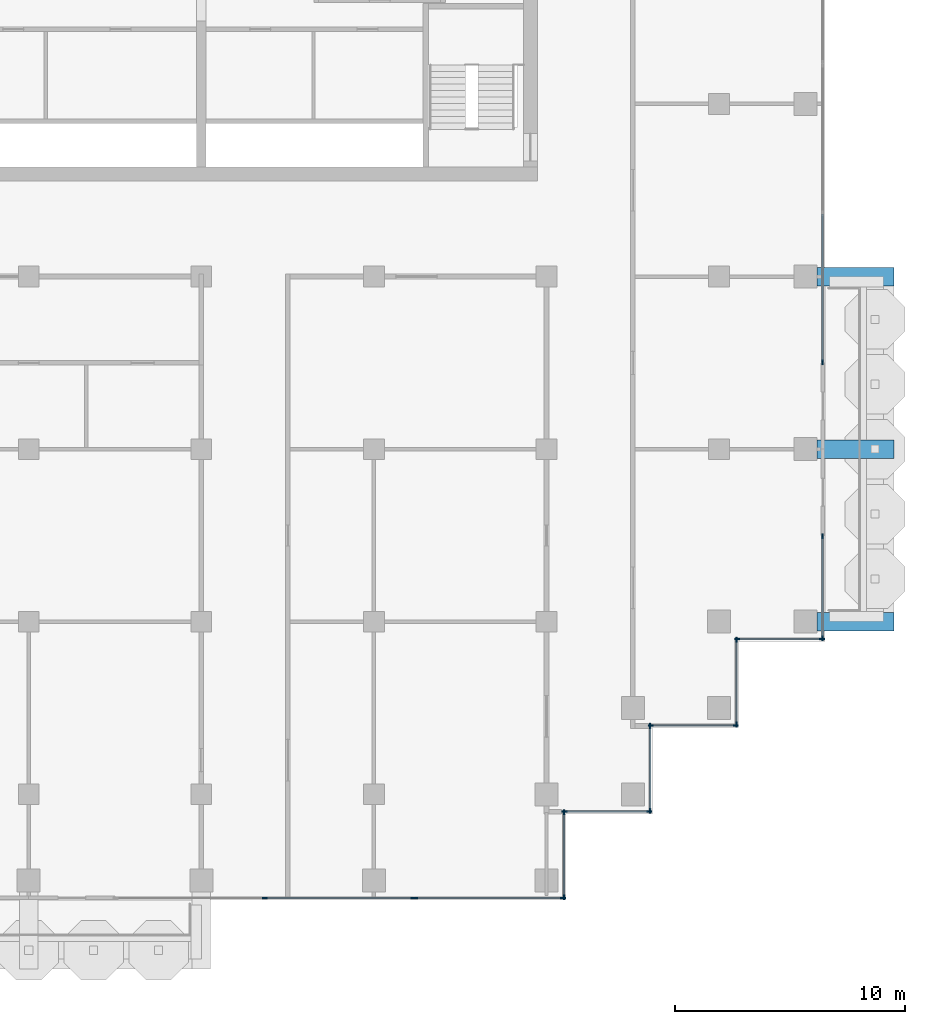
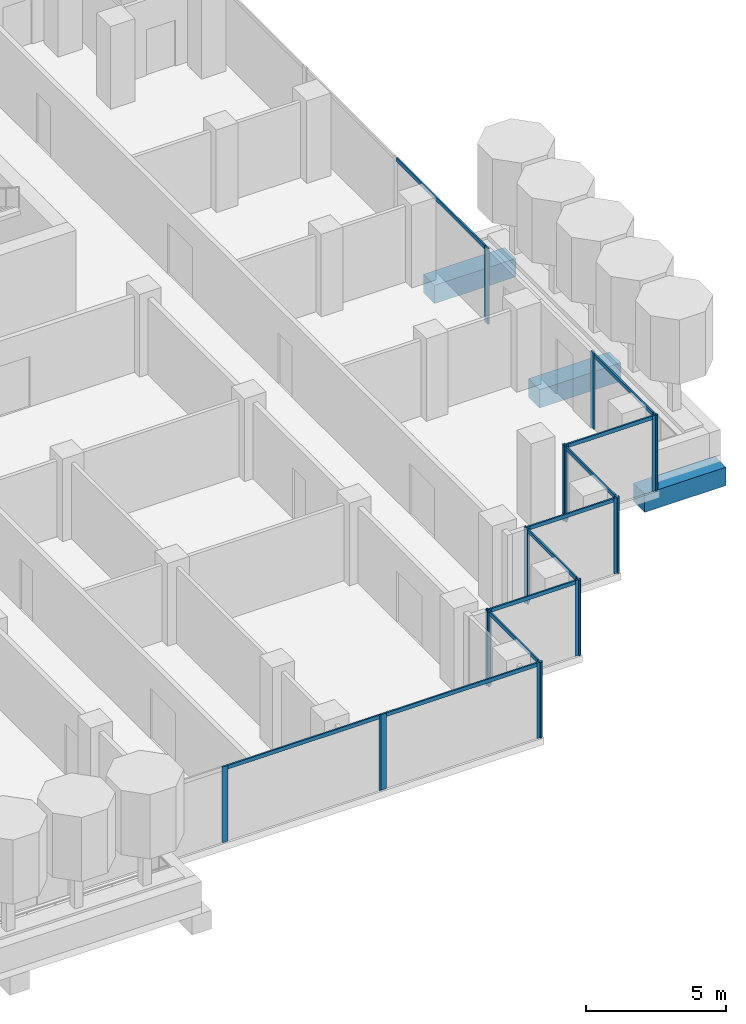
# One storey, part 4 of 18: 29 members, 3 beams, 10 elements without a shape of their own.
"""IFC4 building model written with IfcOpenShell, lengths in metres."""

from ifc_helpers import new_model, si_unit, direction, frame, origin, origin_2d, place, context, subcontext, project, spatial, rectangle, extrude, material, material_profile, profile_set, type_object, element, aggregate, save


model = new_model("IFC4")

# Units and contexts
model_context = context("Model", 3, precision=1e-05, world=origin(), true_north=direction((0.0, 1.0)))
body_context = subcontext(model_context, "Body", "Model", "MODEL_VIEW")
ifc_project = project(units=[si_unit("LENGTHUNIT", "METRE"), si_unit("AREAUNIT", "SQUARE_METRE"), si_unit("VOLUMEUNIT", "CUBIC_METRE"), si_unit("PLANEANGLEUNIT", "RADIAN"), si_unit("MASSUNIT", "GRAM", prefix="KILO")], contexts=[model_context])

# Site, building, storey
site_placement = place(None, origin())
site = spatial("IfcSite", under=ifc_project, at=site_placement, CompositionType="ELEMENT")
building_placement = place(site_placement, origin())
building = spatial("IfcBuilding", under=site, at=building_placement, Name="Pilkhan Gate Tower", CompositionType="ELEMENT")
storey_placement = place(building_placement, frame((0.0, 0.0, 192.300048828125)))
storey = spatial("IfcBuildingStorey", under=building, at=storey_placement, Name="L49", CompositionType="ELEMENT", Elevation=192.300048828125)

# Beams
ifc_material_1 = material(Name="Concrete C50/60", Category="concrete")
ifc_material_profile_1 = material_profile(ifc_material_1, rectangle(XDim=0.800048828125, YDim=0.800048828125, at=origin_2d()), Name="RC 800x800")
ifc_profile_set_1 = profile_set([ifc_material_profile_1], Name="Concrete C50/60")
beam_type = type_object("IfcBeamType", Name="Cantilever beam CB2 RC 800x800 C50/60", PredefinedType="BEAM", material=ifc_profile_set_1)
for number, where, z_axis, x_axis, name in (
    (1, (101.75, 52.5, -0.699951171875), (1.0, 0.0, 0.0), (0.0, 1.0, 0.0), "Balcony beam E.1 L49"),
    (2, (101.75, 60.0, -0.699951171875), (1.0, 0.0, 0.0), (0.0, 1.0, 0.0), "Balcony beam E.2 L49"),
    (3, (101.75, 67.5, -0.699951171875), (1.0, 0.0, 0.0), (0.0, 1.0, 0.0), "Balcony beam E.3 L49"),
):
    element("IfcBeam", number, at=place(storey_placement, frame(where, z_axis=z_axis, x_axis=x_axis)), inside=storey, type_object=beam_type, Name=name, PredefinedType="BEAM", context=body_context, shape_type="SweptSolid", body=[
        extrude(rectangle(XDim=0.800048828125, YDim=0.800048828125, at=origin_2d()), origin(), (0.0, 0.0, 1.0), 3.35009765625),
    ])

# Curtain wall, members
ifc_material_2 = material(Name="Pale anodised aluminium, clear low-iron double glazing", Category="aluminium")
curtain_wall_type = type_object("IfcCurtainWallType", Name="Office unitised curtain wall CW-O2", PredefinedType="USERDEFINED", material=ifc_material_2)
curtain_wall_1_placement = place(storey_placement, origin())
curtain_wall_1 = element("IfcCurtainWall", 4, at=curtain_wall_1_placement, inside=storey, type_object=curtain_wall_type, Name="Office unitised curtain wall CW-O2 L49 E", ObjectType="UNITISED CURTAIN WALL", PredefinedType="USERDEFINED")
ifc_material_3 = material(Name="Pale anodised aluminium", Category="aluminium")
ifc_material_profile_2 = material_profile(ifc_material_3, rectangle(XDim=0.06494140625, YDim=0.22509765625, at=origin_2d()), Name="Mullion 225x65")
ifc_profile_set_2 = profile_set([ifc_material_profile_2], Name="Pale anodised aluminium")
member_type_1 = type_object("IfcMemberType", Name="Mullion CW-O2 225x65", PredefinedType="MULLION", material=ifc_profile_set_2)
member_1_placement = place(storey_placement, frame((102.0, 51.782470703125, 0.0), z_axis=(0.0, 0.0, 1.0), x_axis=(-1.0, 0.0, 0.0)))
member_1 = element("IfcMember", 5, at=member_1_placement, type_object=member_type_1, Name="CW-O2 mullion 1", PredefinedType="MULLION", context=body_context, shape_type="SweptSolid", body=[
    extrude(rectangle(XDim=0.06494140625, YDim=0.22509765625, at=origin_2d()), origin(), (0.0, 0.0, 1.0), 3.300048828125),
])
member_2_placement = place(storey_placement, frame((102.0, 56.217529296875, 0.0), z_axis=(0.0, 0.0, 1.0), x_axis=(-1.0, 0.0, 0.0)))
member_2 = element("IfcMember", 6, at=member_2_placement, type_object=member_type_1, Name="CW-O2 mullion 2", PredefinedType="MULLION", context=body_context, shape_type="SweptSolid", body=[
    extrude(rectangle(XDim=0.06494140625, YDim=0.22509765625, at=origin_2d()), origin(), (0.0, 0.0, 1.0), 3.300048828125),
])

# Curtain wall, member
curtain_wall_2_placement = place(storey_placement, origin())
curtain_wall_2 = element("IfcCurtainWall", 7, at=curtain_wall_2_placement, inside=storey, type_object=curtain_wall_type, Name="Office unitised curtain wall CW-O2 L49 E", ObjectType="UNITISED CURTAIN WALL", PredefinedType="USERDEFINED")
member_3_placement = place(storey_placement, frame((102.0, 63.782470703125, 0.0), z_axis=(0.0, 0.0, 1.0), x_axis=(-1.0, 0.0, 0.0)))
member_3 = element("IfcMember", 8, at=member_3_placement, type_object=member_type_1, Name="CW-O2 mullion 1", PredefinedType="MULLION", context=body_context, shape_type="SweptSolid", body=[
    extrude(rectangle(XDim=0.06494140625, YDim=0.22509765625, at=origin_2d()), origin(), (0.0, 0.0, 1.0), 3.300048828125),
])

# Curtain wall, members
curtain_wall_3_placement = place(storey_placement, origin())
curtain_wall_3 = element("IfcCurtainWall", 9, at=curtain_wall_3_placement, inside=storey, type_object=curtain_wall_type, Name="Office unitised curtain wall CW-O2 L49 S", ObjectType="UNITISED CURTAIN WALL", PredefinedType="USERDEFINED")
member_4_placement = place(storey_placement, frame((77.75, 40.5, 0.0), z_axis=(0.0, 0.0, 1.0), x_axis=(0.0, 1.0, 0.0)))
member_4 = element("IfcMember", 10, at=member_4_placement, type_object=member_type_1, Name="CW-O2 mullion 2", PredefinedType="MULLION", context=body_context, shape_type="SweptSolid", body=[
    extrude(rectangle(XDim=0.06494140625, YDim=0.22509765625, at=origin_2d()), origin(), (0.0, 0.0, 1.0), 3.300048828125),
])
member_5_placement = place(storey_placement, frame((84.217529296875, 40.5, 0.0), z_axis=(0.0, 0.0, 1.0), x_axis=(0.0, 1.0, 0.0)))
member_5 = element("IfcMember", 11, at=member_5_placement, type_object=member_type_1, Name="CW-O2 mullion 3", PredefinedType="MULLION", context=body_context, shape_type="SweptSolid", body=[
    extrude(rectangle(XDim=0.06494140625, YDim=0.22509765625, at=origin_2d()), origin(), (0.0, 0.0, 1.0), 3.300048828125),
])

curtain_wall_4_placement = place(storey_placement, origin())
curtain_wall_4 = element("IfcCurtainWall", 12, at=curtain_wall_4_placement, inside=storey, type_object=curtain_wall_type, Name="Office unitised curtain wall CW-O2 L49 S", ObjectType="UNITISED CURTAIN WALL", PredefinedType="USERDEFINED")
member_6_placement = place(storey_placement, frame((84.282470703125, 40.5, 0.0), z_axis=(0.0, 0.0, 1.0), x_axis=(0.0, 1.0, 0.0)))
member_6 = element("IfcMember", 13, at=member_6_placement, type_object=member_type_1, Name="CW-O2 mullion 1", PredefinedType="MULLION", context=body_context, shape_type="SweptSolid", body=[
    extrude(rectangle(XDim=0.06494140625, YDim=0.22509765625, at=origin_2d()), origin(), (0.0, 0.0, 1.0), 3.300048828125),
])
member_7_placement = place(storey_placement, frame((90.717529296875, 40.5, 0.0), z_axis=(0.0, 0.0, 1.0), x_axis=(0.0, 1.0, 0.0)))
member_7 = element("IfcMember", 14, at=member_7_placement, type_object=member_type_1, Name="CW-O2 mullion 2", PredefinedType="MULLION", context=body_context, shape_type="SweptSolid", body=[
    extrude(rectangle(XDim=0.06494140625, YDim=0.22509765625, at=origin_2d()), origin(), (0.0, 0.0, 1.0), 3.300048828125),
])

curtain_wall_5_placement = place(storey_placement, origin())
curtain_wall_5 = element("IfcCurtainWall", 15, at=curtain_wall_5_placement, inside=storey, type_object=curtain_wall_type, Name="Office unitised curtain wall CW-O2 L49 E", ObjectType="UNITISED CURTAIN WALL", PredefinedType="USERDEFINED")
member_8_placement = place(storey_placement, frame((90.75, 40.532470703125, 0.0), z_axis=(0.0, 0.0, 1.0), x_axis=(-1.0, 0.0, 0.0)))
member_8 = element("IfcMember", 16, at=member_8_placement, type_object=member_type_1, Name="CW-O2 mullion 1", PredefinedType="MULLION", context=body_context, shape_type="SweptSolid", body=[
    extrude(rectangle(XDim=0.06494140625, YDim=0.22509765625, at=origin_2d()), origin(), (0.0, 0.0, 1.0), 3.300048828125),
])
member_9_placement = place(storey_placement, frame((90.75, 44.217529296875, 0.0), z_axis=(0.0, 0.0, 1.0), x_axis=(-1.0, 0.0, 0.0)))
member_9 = element("IfcMember", 17, at=member_9_placement, type_object=member_type_1, Name="CW-O2 mullion 2", PredefinedType="MULLION", context=body_context, shape_type="SweptSolid", body=[
    extrude(rectangle(XDim=0.06494140625, YDim=0.22509765625, at=origin_2d()), origin(), (0.0, 0.0, 1.0), 3.300048828125),
])

curtain_wall_6_placement = place(storey_placement, origin())
curtain_wall_6 = element("IfcCurtainWall", 18, at=curtain_wall_6_placement, inside=storey, type_object=curtain_wall_type, Name="Office unitised curtain wall CW-O2 L49 S", ObjectType="UNITISED CURTAIN WALL", PredefinedType="USERDEFINED")
member_10_placement = place(storey_placement, frame((90.782470703125, 44.25, 0.0), z_axis=(0.0, 0.0, 1.0), x_axis=(0.0, 1.0, 0.0)))
member_10 = element("IfcMember", 19, at=member_10_placement, type_object=member_type_1, Name="CW-O2 mullion 1", PredefinedType="MULLION", context=body_context, shape_type="SweptSolid", body=[
    extrude(rectangle(XDim=0.06494140625, YDim=0.22509765625, at=origin_2d()), origin(), (0.0, 0.0, 1.0), 3.300048828125),
])
member_11_placement = place(storey_placement, frame((94.467529296875, 44.25, 0.0), z_axis=(0.0, 0.0, 1.0), x_axis=(0.0, 1.0, 0.0)))
member_11 = element("IfcMember", 20, at=member_11_placement, type_object=member_type_1, Name="CW-O2 mullion 2", PredefinedType="MULLION", context=body_context, shape_type="SweptSolid", body=[
    extrude(rectangle(XDim=0.06494140625, YDim=0.22509765625, at=origin_2d()), origin(), (0.0, 0.0, 1.0), 3.300048828125),
])

curtain_wall_7_placement = place(storey_placement, origin())
curtain_wall_7 = element("IfcCurtainWall", 21, at=curtain_wall_7_placement, inside=storey, type_object=curtain_wall_type, Name="Office unitised curtain wall CW-O2 L49 E", ObjectType="UNITISED CURTAIN WALL", PredefinedType="USERDEFINED")
member_12_placement = place(storey_placement, frame((94.5, 44.282470703125, 0.0), z_axis=(0.0, 0.0, 1.0), x_axis=(-1.0, 0.0, 0.0)))
member_12 = element("IfcMember", 22, at=member_12_placement, type_object=member_type_1, Name="CW-O2 mullion 1", PredefinedType="MULLION", context=body_context, shape_type="SweptSolid", body=[
    extrude(rectangle(XDim=0.06494140625, YDim=0.22509765625, at=origin_2d()), origin(), (0.0, 0.0, 1.0), 3.300048828125),
])
member_13_placement = place(storey_placement, frame((94.5, 47.967529296875, 0.0), z_axis=(0.0, 0.0, 1.0), x_axis=(-1.0, 0.0, 0.0)))
member_13 = element("IfcMember", 23, at=member_13_placement, type_object=member_type_1, Name="CW-O2 mullion 2", PredefinedType="MULLION", context=body_context, shape_type="SweptSolid", body=[
    extrude(rectangle(XDim=0.06494140625, YDim=0.22509765625, at=origin_2d()), origin(), (0.0, 0.0, 1.0), 3.300048828125),
])

curtain_wall_8_placement = place(storey_placement, origin())
curtain_wall_8 = element("IfcCurtainWall", 24, at=curtain_wall_8_placement, inside=storey, type_object=curtain_wall_type, Name="Office unitised curtain wall CW-O2 L49 S", ObjectType="UNITISED CURTAIN WALL", PredefinedType="USERDEFINED")
member_14_placement = place(storey_placement, frame((94.532470703125, 48.0, 0.0), z_axis=(0.0, 0.0, 1.0), x_axis=(0.0, 1.0, 0.0)))
member_14 = element("IfcMember", 25, at=member_14_placement, type_object=member_type_1, Name="CW-O2 mullion 1", PredefinedType="MULLION", context=body_context, shape_type="SweptSolid", body=[
    extrude(rectangle(XDim=0.06494140625, YDim=0.22509765625, at=origin_2d()), origin(), (0.0, 0.0, 1.0), 3.300048828125),
])
member_15_placement = place(storey_placement, frame((98.217529296875, 48.0, 0.0), z_axis=(0.0, 0.0, 1.0), x_axis=(0.0, 1.0, 0.0)))
member_15 = element("IfcMember", 26, at=member_15_placement, type_object=member_type_1, Name="CW-O2 mullion 2", PredefinedType="MULLION", context=body_context, shape_type="SweptSolid", body=[
    extrude(rectangle(XDim=0.06494140625, YDim=0.22509765625, at=origin_2d()), origin(), (0.0, 0.0, 1.0), 3.300048828125),
])

curtain_wall_9_placement = place(storey_placement, origin())
curtain_wall_9 = element("IfcCurtainWall", 27, at=curtain_wall_9_placement, inside=storey, type_object=curtain_wall_type, Name="Office unitised curtain wall CW-O2 L49 E", ObjectType="UNITISED CURTAIN WALL", PredefinedType="USERDEFINED")
member_16_placement = place(storey_placement, frame((98.25, 48.032470703125, 0.0), z_axis=(0.0, 0.0, 1.0), x_axis=(-1.0, 0.0, 0.0)))
member_16 = element("IfcMember", 28, at=member_16_placement, type_object=member_type_1, Name="CW-O2 mullion 1", PredefinedType="MULLION", context=body_context, shape_type="SweptSolid", body=[
    extrude(rectangle(XDim=0.06494140625, YDim=0.22509765625, at=origin_2d()), origin(), (0.0, 0.0, 1.0), 3.300048828125),
])
member_17_placement = place(storey_placement, frame((98.25, 51.717529296875, 0.0), z_axis=(0.0, 0.0, 1.0), x_axis=(-1.0, 0.0, 0.0)))
member_17 = element("IfcMember", 29, at=member_17_placement, type_object=member_type_1, Name="CW-O2 mullion 2", PredefinedType="MULLION", context=body_context, shape_type="SweptSolid", body=[
    extrude(rectangle(XDim=0.06494140625, YDim=0.22509765625, at=origin_2d()), origin(), (0.0, 0.0, 1.0), 3.300048828125),
])

curtain_wall_10_placement = place(storey_placement, origin())
curtain_wall_10 = element("IfcCurtainWall", 30, at=curtain_wall_10_placement, inside=storey, type_object=curtain_wall_type, Name="Office unitised curtain wall CW-O2 L49 S", ObjectType="UNITISED CURTAIN WALL", PredefinedType="USERDEFINED")
member_18_placement = place(storey_placement, frame((98.282470703125, 51.75, 0.0), z_axis=(0.0, 0.0, 1.0), x_axis=(0.0, 1.0, 0.0)))
member_18 = element("IfcMember", 31, at=member_18_placement, type_object=member_type_1, Name="CW-O2 mullion 1", PredefinedType="MULLION", context=body_context, shape_type="SweptSolid", body=[
    extrude(rectangle(XDim=0.06494140625, YDim=0.22509765625, at=origin_2d()), origin(), (0.0, 0.0, 1.0), 3.300048828125),
])
member_19_placement = place(storey_placement, frame((101.967529296875, 51.75, 0.0), z_axis=(0.0, 0.0, 1.0), x_axis=(0.0, 1.0, 0.0)))
member_19 = element("IfcMember", 32, at=member_19_placement, type_object=member_type_1, Name="CW-O2 mullion 2", PredefinedType="MULLION", context=body_context, shape_type="SweptSolid", body=[
    extrude(rectangle(XDim=0.06494140625, YDim=0.22509765625, at=origin_2d()), origin(), (0.0, 0.0, 1.0), 3.300048828125),
])

# Member
ifc_material_profile_3 = material_profile(ifc_material_3, rectangle(XDim=0.06494140625, YDim=0.1650390625, at=origin_2d()), Name="Transom 165x65")
ifc_profile_set_3 = profile_set([ifc_material_profile_3], Name="Pale anodised aluminium")
member_type_2 = type_object("IfcMemberType", Name="Transom CW-O2 165x65", PredefinedType="USERDEFINED", material=ifc_profile_set_3)
member_20_placement = place(storey_placement, frame((102.0, 51.81494140625, 3.217529296875), z_axis=(0.0, 1.0, 0.0), x_axis=(-1.0, 0.0, 0.0)))
member_20 = element("IfcMember", 33, at=member_20_placement, type_object=member_type_2, Name="CW-O2 transom 1", ObjectType="TRANSOM", PredefinedType="USERDEFINED", context=body_context, shape_type="SweptSolid", body=[
    extrude(rectangle(XDim=0.06494140625, YDim=0.1650390625, at=origin_2d()), origin(), (0.0, 0.0, 1.0), 4.3701171875),
])

aggregate(curtain_wall_1, [member_1, member_2, member_20])

member_21_placement = place(storey_placement, frame((102.0, 63.81494140625, 3.217529296875), z_axis=(0.0, 1.0, 0.0), x_axis=(-1.0, 0.0, 0.0)))
member_21 = element("IfcMember", 34, at=member_21_placement, type_object=member_type_2, Name="CW-O2 transom 1", ObjectType="TRANSOM", PredefinedType="USERDEFINED", context=body_context, shape_type="SweptSolid", body=[
    extrude(rectangle(XDim=0.06494140625, YDim=0.1650390625, at=origin_2d()), origin(), (0.0, 0.0, 1.0), 6.402587890625),
])

aggregate(curtain_wall_2, [member_3, member_21])

member_22_placement = place(storey_placement, frame((77.782470703125, 40.5, 3.217529296875), z_axis=(1.0, 0.0, 0.0), x_axis=(0.0, 1.0, 0.0)))
member_22 = element("IfcMember", 35, at=member_22_placement, type_object=member_type_2, Name="CW-O2 transom 2", ObjectType="TRANSOM", PredefinedType="USERDEFINED", context=body_context, shape_type="SweptSolid", body=[
    extrude(rectangle(XDim=0.06494140625, YDim=0.1650390625, at=origin_2d()), origin(), (0.0, 0.0, 1.0), 6.402587890625),
])

aggregate(curtain_wall_3, [member_4, member_5, member_22])

member_23_placement = place(storey_placement, frame((84.31494140625, 40.5, 3.217529296875), z_axis=(1.0, 0.0, 0.0), x_axis=(0.0, 1.0, 0.0)))
member_23 = element("IfcMember", 36, at=member_23_placement, type_object=member_type_2, Name="CW-O2 transom 1", ObjectType="TRANSOM", PredefinedType="USERDEFINED", context=body_context, shape_type="SweptSolid", body=[
    extrude(rectangle(XDim=0.06494140625, YDim=0.1650390625, at=origin_2d()), origin(), (0.0, 0.0, 1.0), 6.3701171875),
])

aggregate(curtain_wall_4, [member_6, member_7, member_23])

member_24_placement = place(storey_placement, frame((90.75, 40.56494140625, 3.217529296875), z_axis=(0.0, 1.0, 0.0), x_axis=(-1.0, 0.0, 0.0)))
member_24 = element("IfcMember", 37, at=member_24_placement, type_object=member_type_2, Name="CW-O2 transom 1", ObjectType="TRANSOM", PredefinedType="USERDEFINED", context=body_context, shape_type="SweptSolid", body=[
    extrude(rectangle(XDim=0.06494140625, YDim=0.1650390625, at=origin_2d()), origin(), (0.0, 0.0, 1.0), 3.6201171875),
])

aggregate(curtain_wall_5, [member_8, member_9, member_24])

member_25_placement = place(storey_placement, frame((90.81494140625, 44.25, 3.217529296875), z_axis=(1.0, 0.0, 0.0), x_axis=(0.0, 1.0, 0.0)))
member_25 = element("IfcMember", 38, at=member_25_placement, type_object=member_type_2, Name="CW-O2 transom 1", ObjectType="TRANSOM", PredefinedType="USERDEFINED", context=body_context, shape_type="SweptSolid", body=[
    extrude(rectangle(XDim=0.06494140625, YDim=0.1650390625, at=origin_2d()), origin(), (0.0, 0.0, 1.0), 3.6201171875),
])

aggregate(curtain_wall_6, [member_10, member_11, member_25])

member_26_placement = place(storey_placement, frame((94.5, 44.31494140625, 3.217529296875), z_axis=(0.0, 1.0, 0.0), x_axis=(-1.0, 0.0, 0.0)))
member_26 = element("IfcMember", 39, at=member_26_placement, type_object=member_type_2, Name="CW-O2 transom 1", ObjectType="TRANSOM", PredefinedType="USERDEFINED", context=body_context, shape_type="SweptSolid", body=[
    extrude(rectangle(XDim=0.06494140625, YDim=0.1650390625, at=origin_2d()), origin(), (0.0, 0.0, 1.0), 3.6201171875),
])

aggregate(curtain_wall_7, [member_12, member_13, member_26])

member_27_placement = place(storey_placement, frame((94.56494140625, 48.0, 3.217529296875), z_axis=(1.0, 0.0, 0.0), x_axis=(0.0, 1.0, 0.0)))
member_27 = element("IfcMember", 40, at=member_27_placement, type_object=member_type_2, Name="CW-O2 transom 1", ObjectType="TRANSOM", PredefinedType="USERDEFINED", context=body_context, shape_type="SweptSolid", body=[
    extrude(rectangle(XDim=0.06494140625, YDim=0.1650390625, at=origin_2d()), origin(), (0.0, 0.0, 1.0), 3.6201171875),
])

aggregate(curtain_wall_8, [member_14, member_15, member_27])

member_28_placement = place(storey_placement, frame((98.25, 48.06494140625, 3.217529296875), z_axis=(0.0, 1.0, 0.0), x_axis=(-1.0, 0.0, 0.0)))
member_28 = element("IfcMember", 41, at=member_28_placement, type_object=member_type_2, Name="CW-O2 transom 1", ObjectType="TRANSOM", PredefinedType="USERDEFINED", context=body_context, shape_type="SweptSolid", body=[
    extrude(rectangle(XDim=0.06494140625, YDim=0.1650390625, at=origin_2d()), origin(), (0.0, 0.0, 1.0), 3.6201171875),
])

aggregate(curtain_wall_9, [member_16, member_17, member_28])

member_29_placement = place(storey_placement, frame((98.31494140625, 51.75, 3.217529296875), z_axis=(1.0, 0.0, 0.0), x_axis=(0.0, 1.0, 0.0)))
member_29 = element("IfcMember", 42, at=member_29_placement, type_object=member_type_2, Name="CW-O2 transom 1", ObjectType="TRANSOM", PredefinedType="USERDEFINED", context=body_context, shape_type="SweptSolid", body=[
    extrude(rectangle(XDim=0.06494140625, YDim=0.1650390625, at=origin_2d()), origin(), (0.0, 0.0, 1.0), 3.6201171875),
])

aggregate(curtain_wall_10, [member_18, member_19, member_29])

save(model, "model.ifc")
